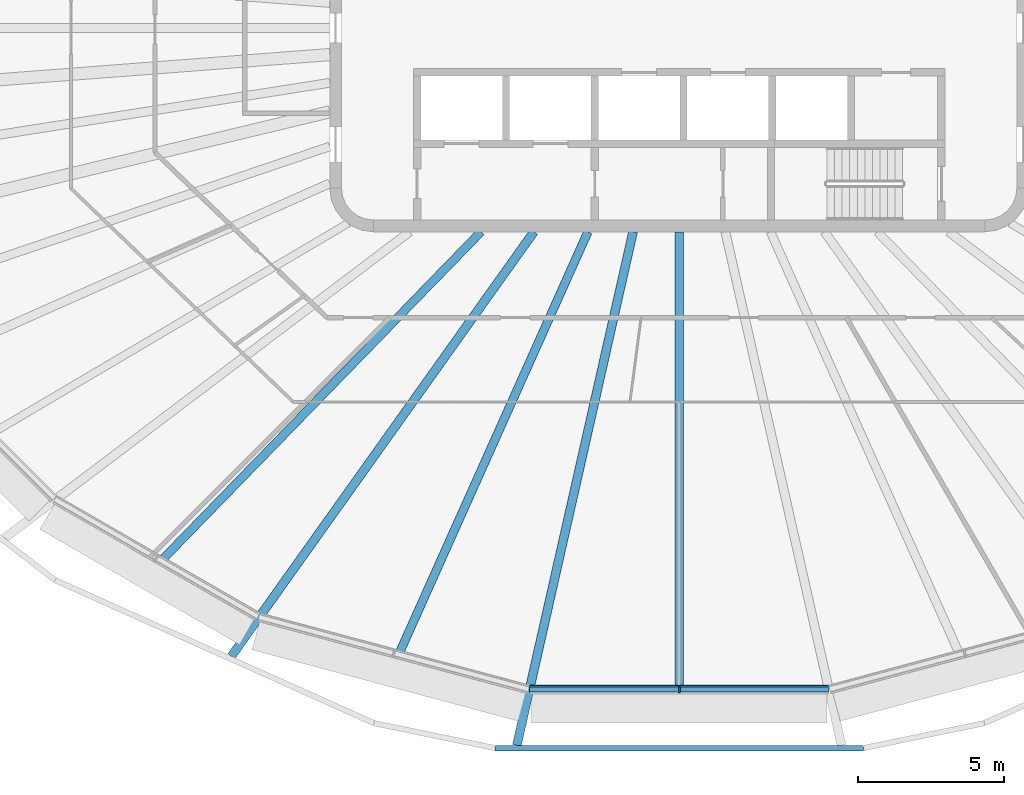
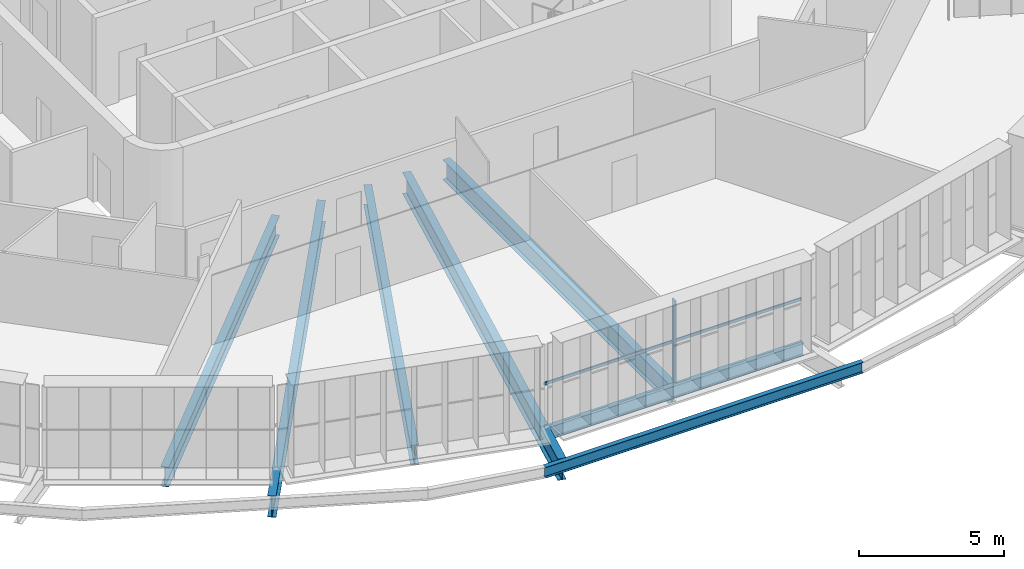
# One storey, part 2 of 21: 7 beams, 2 members, 1 element without a shape of its own.
"""IFC4 building model written with IfcOpenShell, lengths in metres."""

import ifcopenshell
import ifcopenshell.guid

model = None  # the IFC model being written
_history = None  # IfcOwnerHistory: only IFC2X3 demands one
_inside = {}  # id of a spatial element -> (the spatial element, [elements in it])
_under = {}  # id of a project, library or spatial element -> (it, [spatial elements below it])
_declared = {}  # id of a project -> (the project, [libraries it declares])
_typed = {}  # id of a type object -> (the type object, [elements of that type])
_made_of = {}  # id of a material, layer set ... -> (it, [elements and type objects made of it])


def new_model(schema):
    """Start an empty IFC model of exactly this schema.

    Asked for "IFC4X3", IfcOpenShell would pick the latest addendum, in which some entities
    have other attributes; the version numbers below select the first issue.
    IFC2X3 requires an IfcOwnerHistory on every rooted entity: one is made here for all.
    """
    global model, _history
    if schema == "IFC4X3":
        model = ifcopenshell.file(schema_version=(4, 3, 0, 0))
    else:
        model = ifcopenshell.file(schema=schema)
    _inside.clear()
    _under.clear()
    _declared.clear()
    _typed.clear()
    _made_of.clear()
    _history = None
    if model.schema == "IFC2X3":
        org = make("IfcOrganization", Name="unknown")
        user = make(
            "IfcPersonAndOrganization",
            ThePerson=make("IfcPerson", FamilyName="unknown"),
            TheOrganization=org,
        )
        app = make(
            "IfcApplication",
            ApplicationDeveloper=org,
            Version="unknown",
            ApplicationFullName="unknown",
            ApplicationIdentifier="unknown",
        )
        _history = make(
            "IfcOwnerHistory",
            OwningUser=user,
            OwningApplication=app,
            ChangeAction="ADDED",
            CreationDate=0,
        )
    return model


def make(cls, **values):
    """One entity of the class cls with the attributes given. An attribute that is None is left unset."""
    return model.create_entity(
        cls, **{name: value for name, value in values.items() if value is not None}
    )


def rooted(cls, **values):
    """An entity with a GlobalId (a new one), such as an element, a storey or a relation."""
    return make(cls, GlobalId=ifcopenshell.guid.new(), OwnerHistory=_history, **values)


def si_unit(unit_type, name, prefix=None):
    """IfcSIUnit, for example si_unit("LENGTHUNIT", "METRE", prefix="MILLI")."""
    return make("IfcSIUnit", UnitType=unit_type, Prefix=prefix, Name=name)


def assignment(units):
    """IfcUnitAssignment: the units of a project."""
    return None if units is None else make("IfcUnitAssignment", Units=units)


def point(xyz):
    """IfcCartesianPoint."""
    return None if xyz is None else make("IfcCartesianPoint", Coordinates=xyz)


def direction(xyz):
    """IfcDirection."""
    return None if xyz is None else make("IfcDirection", DirectionRatios=xyz)


def frame(location, z_axis=None, x_axis=None):
    """IfcAxis2Placement3D, a coordinate frame: its origin and axes. An axis left out is left unset."""
    return make(
        "IfcAxis2Placement3D",
        Location=point(location),
        Axis=direction(z_axis),
        RefDirection=direction(x_axis),
    )


def frame_2d(location, x_axis=None):
    """IfcAxis2Placement2D, a coordinate frame in the plane: its origin and x axis."""
    return make(
        "IfcAxis2Placement2D", Location=point(location), RefDirection=direction(x_axis)
    )


def origin():
    """The frame at (0, 0, 0) with its axes left unset."""
    return frame((0.0, 0.0, 0.0))


def origin_2d():
    """The frame at (0, 0) in the plane with its x axis left unset."""
    return frame_2d((0.0, 0.0))


def place(relative_to, where):
    """IfcLocalPlacement: puts the frame where relative to a parent placement (None: the world)."""
    return make(
        "IfcLocalPlacement", PlacementRelTo=relative_to, RelativePlacement=where
    )


def context(
    kind, dimensions, precision=None, world=None, true_north=None, identifier=None
):
    """IfcGeometricRepresentationContext, for example the 3D "Model" context."""
    return make(
        "IfcGeometricRepresentationContext",
        ContextIdentifier=identifier,
        ContextType=kind,
        CoordinateSpaceDimension=dimensions,
        Precision=precision,
        WorldCoordinateSystem=world,
        TrueNorth=true_north,
    )


def subcontext(parent, identifier, kind, view, scale=None):
    """IfcGeometricRepresentationSubContext, for example "Body" below "Model"."""
    return make(
        "IfcGeometricRepresentationSubContext",
        ContextIdentifier=identifier,
        ContextType=kind,
        ParentContext=parent,
        TargetScale=scale,
        TargetView=view,
    )


def project(units=None, contexts=None):
    """IfcProject with its units and contexts."""
    return rooted(
        "IfcProject",
        Name="project",
        RepresentationContexts=contexts,
        UnitsInContext=assignment(units),
    )


def spatial(cls, under=None, at=None, **own):
    """A site, building, storey or space (cls), placed at a placement, below another one or the project."""
    s = rooted(cls, ObjectPlacement=at, **own)
    if under is not None:
        _under.setdefault(under.id(), (under, []))[1].append(s)
    return s


def profile(cls, at=None, kind="AREA", **sizes):
    """A parametric profile (cls). Its sizes go by their IFC names, for example OverallWidth=200.0."""
    return make(cls, ProfileType=kind, Position=at, **sizes)


def rectangle(**sizes):
    """IfcRectangleProfileDef."""
    return profile("IfcRectangleProfileDef", **sizes)


def i_section(**sizes):
    """IfcIShapeProfileDef."""
    return profile("IfcIShapeProfileDef", **sizes)


def extrude(swept, where, along, depth):
    """IfcExtrudedAreaSolid: the profile swept, set in the frame where, extruded along a direction by depth."""
    return make(
        "IfcExtrudedAreaSolid",
        SweptArea=swept,
        Position=where,
        ExtrudedDirection=direction(along),
        Depth=depth,
    )


def shape(context_of_items, identifier, shape_type, items):
    """IfcShapeRepresentation: the items that make up one representation, for example the "Body"."""
    return make(
        "IfcShapeRepresentation",
        ContextOfItems=context_of_items,
        RepresentationIdentifier=identifier,
        RepresentationType=shape_type,
        Items=items,
    )


def material(Name=None, Category=None):
    """IfcMaterial."""
    return make("IfcMaterial", Name=Name, Category=Category)


def layer(
    of_material, thickness, ventilated=None, Name=None, Category=None, Priority=None
):
    """IfcMaterialLayer: one layer of a wall or slab, of a material (None: an air gap)."""
    return make(
        "IfcMaterialLayer",
        Material=of_material,
        LayerThickness=thickness,
        IsVentilated=ventilated,
        Name=Name,
        Category=Category,
        Priority=Priority,
    )


def layer_set(layers, Name=None):
    """IfcMaterialLayerSet."""
    return make("IfcMaterialLayerSet", MaterialLayers=layers, LayerSetName=Name)


def material_profile(
    of_material, cross_section, Name=None, Category=None, Priority=None
):
    """IfcMaterialProfile: a cross section and its material."""
    return make(
        "IfcMaterialProfile",
        Name=Name,
        Material=of_material,
        Profile=cross_section,
        Priority=Priority,
        Category=Category,
    )


def profile_set(profiles, Name=None, composite=None):
    """IfcMaterialProfileSet."""
    return make(
        "IfcMaterialProfileSet",
        Name=Name,
        MaterialProfiles=profiles,
        CompositeProfile=composite,
    )


def made_of(thing, what):
    """Note that an element or type object is made of a material, layer set ...; save() writes the relation."""
    if what is not None:
        _made_of.setdefault(what.id(), (what, []))[1].append(thing)
    return thing


def type_object(cls, material=None, **own):
    """A type object (cls), such as IfcWallType, which elements share."""
    return made_of(rooted(cls, **own), material)


def element(
    cls,
    number,
    at=None,
    inside=None,
    cuts=None,
    type_object=None,
    material=None,
    context=None,
    identifier="Body",
    shape_type=None,
    held_by="IfcProductDefinitionShape",
    body=None,
    shapes=None,
    **own,
):
    """One element of the class cls, such as IfcWall. Its Tag is "e" and its number.

    at: its placement. inside: the storey or other place that contains it. cuts: it is an
    opening in that element (IfcRelVoidsElement). A single representation is given by context,
    identifier, shape_type and body (its items); several are given by shapes. held_by: the class
    of the entity that holds the representations. save() writes the other relations.
    """
    e = rooted(cls, Tag="e%d" % number, ObjectPlacement=at, **own)
    if body is not None:
        shapes = [shape(context, identifier, shape_type, body)]
    if shapes is not None:
        e.Representation = make(held_by, Representations=shapes)
    if inside is not None:
        _inside.setdefault(inside.id(), (inside, []))[1].append(e)
    if cuts is not None:
        rooted(
            "IfcRelVoidsElement", RelatingBuildingElement=cuts, RelatedOpeningElement=e
        )
    if type_object is not None:
        _typed.setdefault(type_object.id(), (type_object, []))[1].append(e)
    return made_of(e, material)


def aggregate(whole, parts):
    """IfcRelAggregates: a whole, such as a stair, and the parts it consists of."""
    return rooted("IfcRelAggregates", RelatingObject=whole, RelatedObjects=parts)


def save(model, path):
    """Write the relations noted so far, then the file.

    IfcRelAggregates (storeys below a building ...), IfcRelContainedInSpatialStructure (elements
    in a storey), IfcRelDefinesByType, IfcRelAssociatesMaterial and IfcRelDeclares: one each for
    every whole, place, type object, material and project.
    """
    for whole, parts in _under.values():
        aggregate(whole, parts)
    for where, things in _inside.values():
        rooted(
            "IfcRelContainedInSpatialStructure",
            RelatedElements=things,
            RelatingStructure=where,
        )
    for kind, things in _typed.values():
        rooted("IfcRelDefinesByType", RelatedObjects=things, RelatingType=kind)
    for what, things in _made_of.values():
        rooted("IfcRelAssociatesMaterial", RelatedObjects=things, RelatingMaterial=what)
    for by, libraries in _declared.values():
        rooted("IfcRelDeclares", RelatingContext=by, RelatedDefinitions=libraries)
    model.write(path)


model = new_model("IFC4")

# Units and contexts
model_context = context("Model", 3, precision=1e-05, world=origin(), true_north=direction((0.0, 1.0)))
body_context = subcontext(model_context, "Body", "Model", "MODEL_VIEW")
ifc_project = project(units=[si_unit("LENGTHUNIT", "METRE"), si_unit("AREAUNIT", "SQUARE_METRE"), si_unit("VOLUMEUNIT", "CUBIC_METRE"), si_unit("PLANEANGLEUNIT", "RADIAN"), si_unit("MASSUNIT", "GRAM", prefix="KILO")], contexts=[model_context])

# Site, building, storey
site_placement = place(None, origin())
site = spatial("IfcSite", under=ifc_project, at=site_placement, CompositionType="ELEMENT")
building_placement = place(site_placement, origin())
building = spatial("IfcBuilding", under=site, at=building_placement, Name="Sahrelin Media Tower", CompositionType="ELEMENT")
storey_placement = place(building_placement, frame((0.0, 0.0, 263.0)))
storey = spatial("IfcBuildingStorey", under=building, at=storey_placement, Name="L57", CompositionType="ELEMENT", Elevation=263.0)

# Beam
ifc_material_1 = material(Name="Steel S355", Category="steel")
ifc_material_profile_1 = material_profile(ifc_material_1, i_section(OverallWidth=0.208740234375, OverallDepth=0.5283203125, WebThickness=0.009521484375, FlangeThickness=0.01318359375, FilletRadius=0.0126953125, at=origin_2d()), Name="UB 533x210x82")
ifc_profile_set_1 = profile_set([ifc_material_profile_1], Name="Steel S355")
beam_type_1 = type_object("IfcBeamType", Name="Edge beam EB6", PredefinedType="BEAM", material=ifc_profile_set_1)
beam_1_placement = place(storey_placement, frame((5.1357421875, -22.6953125, -0.4140625), z_axis=(-1.0, 0.0, 0.0), x_axis=(0.0, -1.0, 0.0)))
element("IfcBeam", 1, at=beam_1_placement, inside=storey, type_object=beam_type_1, Name="Edge beam L57-04", PredefinedType="BEAM", context=body_context, shape_type="SweptSolid", body=[
    extrude(i_section(OverallWidth=0.208740234375, OverallDepth=0.5283203125, WebThickness=0.009521484375, FlangeThickness=0.01318359375, FilletRadius=0.0126953125, at=origin_2d()), origin(), (0.0, 0.0, 1.0), 10.271484375),
])

# Curtain wall, member
ifc_material_2 = material(Name="Champagne anodised aluminium 6063-T6", Category="aluminium")
ifc_layer = layer(ifc_material_2, 0.14990234375)
ifc_layer_set = layer_set([ifc_layer], Name="Tower ribbon curtain wall")
curtain_wall_type = type_object("IfcCurtainWallType", Name="Tower ribbon curtain wall", PredefinedType="NOTDEFINED", material=ifc_layer_set)
curtain_wall_placement = place(storey_placement, frame((0.0, -22.84521484375, 0.0), z_axis=(0.0, 0.0, 1.0), x_axis=(1.0, 0.0, 0.0)))
curtain_wall = element("IfcCurtainWall", 2, at=curtain_wall_placement, inside=storey, type_object=curtain_wall_type, Name="L57:CW:L57-18", PredefinedType="NOTDEFINED")
ifc_material_profile_2 = material_profile(ifc_material_2, rectangle(XDim=0.06005859375, YDim=0.199951171875, at=origin_2d()), Name="Mullion 60x200")
ifc_profile_set_2 = profile_set([ifc_material_profile_2], Name="Champagne anodised aluminium 6063-T6")
member_type_1 = type_object("IfcMemberType", Name="Mullion 60x200 CW1C", PredefinedType="MULLION", material=ifc_profile_set_2)
member_1_placement = place(storey_placement, frame((0.0, -22.725341796875, 0.0), z_axis=(0.0, 0.0, 1.0), x_axis=(1.0, 0.0, 0.0)))
member_1 = element("IfcMember", 3, at=member_1_placement, type_object=member_type_1, Name="L57:CWM:L57-18", PredefinedType="MULLION", context=body_context, shape_type="SweptSolid", body=[
    extrude(rectangle(XDim=0.06005859375, YDim=0.199951171875, at=origin_2d()), origin(), (0.0, 0.0, 1.0), 3.448486328125),
])

# Beams
ifc_material_profile_3 = material_profile(ifc_material_1, i_section(OverallWidth=0.30322265625, OverallDepth=0.903076171875, WebThickness=0.01513671875, FlangeThickness=0.020263671875, FilletRadius=0.01904296875, at=origin_2d()), Name="UB 914x305x201")
ifc_profile_set_3 = profile_set([ifc_material_profile_3], Name="Steel S355")
beam_type_2 = type_object("IfcBeamType", Name="Radial primary beam PB11", PredefinedType="BEAM", material=ifc_profile_set_3)
beam_2_placement = place(storey_placement, frame((-4.989501953125, -7.0, -0.6015625), z_axis=(-0.580417178592, -0.814319285536, 0.0), x_axis=(0.814319285536, -0.580417178592, 0.0)))
element("IfcBeam", 4, at=beam_2_placement, inside=storey, type_object=beam_type_2, Name="Radial beam L57-17", PredefinedType="BEAM", context=body_context, shape_type="SweptSolid", body=[
    extrude(i_section(OverallWidth=0.30322265625, OverallDepth=0.903076171875, WebThickness=0.01513671875, FlangeThickness=0.020263671875, FilletRadius=0.01904296875, at=origin_2d()), origin(), (0.0, 0.0, 1.0), 17.896484375),
])
beam_3_placement = place(storey_placement, frame((-1.584228515625, -7.0, -0.6015625), z_axis=(-0.220721688856, -0.975336832109, 0.0), x_axis=(0.975336832109, -0.220721688856, 0.0)))
element("IfcBeam", 5, at=beam_3_placement, inside=storey, type_object=beam_type_2, Name="Radial beam L57-18", PredefinedType="BEAM", context=body_context, shape_type="SweptSolid", body=[
    extrude(i_section(OverallWidth=0.30322265625, OverallDepth=0.903076171875, WebThickness=0.01513671875, FlangeThickness=0.020263671875, FilletRadius=0.01904296875, at=origin_2d()), origin(), (0.0, 0.0, 1.0), 18.08154296875),
])
ifc_material_profile_4 = material_profile(ifc_material_1, i_section(OverallWidth=0.291748046875, OverallDepth=0.8349609375, WebThickness=0.013916015625, FlangeThickness=0.018798828125, FilletRadius=0.017822265625, at=origin_2d()), Name="UB 838x292x176")
ifc_profile_set_4 = profile_set([ifc_material_profile_4], Name="Steel S355")
beam_type_3 = type_object("IfcBeamType", Name="Radial secondary beam SB10", PredefinedType="BEAM", material=ifc_profile_set_4)
beam_4_placement = place(storey_placement, frame((-6.804931640625, -7.0, -0.5673828125), z_axis=(-0.697052085018, -0.717020495364, 0.0), x_axis=(0.717020495364, -0.697052085018, 0.0)))
element("IfcBeam", 6, at=beam_4_placement, inside=storey, type_object=beam_type_3, Name="Secondary beam L57-15", PredefinedType="BEAM", context=body_context, shape_type="SweptSolid", body=[
    extrude(i_section(OverallWidth=0.291748046875, OverallDepth=0.8349609375, WebThickness=0.013916015625, FlangeThickness=0.018798828125, FilletRadius=0.017822265625, at=origin_2d()), origin(), (0.0, 0.0, 1.0), 15.637451171875),
])
beam_5_placement = place(storey_placement, frame((-3.133544921875, -7.0, -0.5673828125), z_axis=(-0.408590666076, -0.912717737088, 0.0), x_axis=(0.912717737088, -0.408590666076, 0.0)))
element("IfcBeam", 7, at=beam_5_placement, inside=storey, type_object=beam_type_3, Name="Secondary beam L57-16", PredefinedType="BEAM", context=body_context, shape_type="SweptSolid", body=[
    extrude(i_section(OverallWidth=0.291748046875, OverallDepth=0.8349609375, WebThickness=0.013916015625, FlangeThickness=0.018798828125, FilletRadius=0.017822265625, at=origin_2d()), origin(), (0.0, 0.0, 1.0), 15.777587890625),
])
beam_6_placement = place(storey_placement, frame((0.0, -7.0, -0.5673828125), z_axis=(0.0, -1.0, 0.0), x_axis=(1.0, 0.0, 0.0)))
element("IfcBeam", 8, at=beam_6_placement, inside=storey, type_object=beam_type_3, Name="Secondary beam L57-17", PredefinedType="BEAM", context=body_context, shape_type="SweptSolid", body=[
    extrude(i_section(OverallWidth=0.291748046875, OverallDepth=0.8349609375, WebThickness=0.013916015625, FlangeThickness=0.018798828125, FilletRadius=0.017822265625, at=origin_2d()), origin(), (0.0, 0.0, 1.0), 15.5908203125),
])
ifc_material_profile_5 = material_profile(ifc_material_1, i_section(OverallWidth=0.1904296875, OverallDepth=0.45703125, WebThickness=0.009033203125, FlangeThickness=0.014404296875, FilletRadius=0.01025390625, at=origin_2d()), Name="UB 457x191x74")
ifc_profile_set_5 = profile_set([ifc_material_profile_5], Name="Steel S355")
beam_type_4 = type_object("IfcBeamType", Name="Tie chord TC5", PredefinedType="BEAM", material=ifc_profile_set_5)
beam_7_placement = place(storey_placement, frame((-6.32666015625, -24.730712890625, -0.37841796875), z_axis=(1.0, 0.0, 0.0), x_axis=(0.0, 1.0, 0.0)))
element("IfcBeam", 9, at=beam_7_placement, inside=storey, type_object=beam_type_4, Name="Tie chord L57-18", PredefinedType="BEAM", context=body_context, shape_type="SweptSolid", body=[
    extrude(i_section(OverallWidth=0.1904296875, OverallDepth=0.45703125, WebThickness=0.009033203125, FlangeThickness=0.014404296875, FilletRadius=0.01025390625, at=origin_2d()), origin(), (0.0, 0.0, 1.0), 12.6533203125),
])

# Member
ifc_material_profile_6 = material_profile(ifc_material_2, rectangle(XDim=0.050048828125, YDim=0.1201171875, at=origin_2d()), Name="Transom 50x120")
ifc_profile_set_6 = profile_set([ifc_material_profile_6], Name="Champagne anodised aluminium 6063-T6")
member_type_2 = type_object("IfcMemberType", Name="Transom 50x120 CW1C", PredefinedType="USERDEFINED", material=ifc_profile_set_6)
member_2_placement = place(storey_placement, frame((-5.1201171875, -22.600341796875, 1.60009765625), z_axis=(1.0, 0.0, 0.0), x_axis=(0.0, 1.0, 0.0)))
member_2 = element("IfcMember", 10, at=member_2_placement, type_object=member_type_2, Name="L57:CWT:L57-18", ObjectType="TRANSOM", PredefinedType="USERDEFINED", context=body_context, shape_type="SweptSolid", body=[
    extrude(rectangle(XDim=0.050048828125, YDim=0.1201171875, at=origin_2d()), origin(), (0.0, 0.0, 1.0), 10.240234375),
])

aggregate(curtain_wall, [member_1, member_2])

save(model, "model.ifc")
